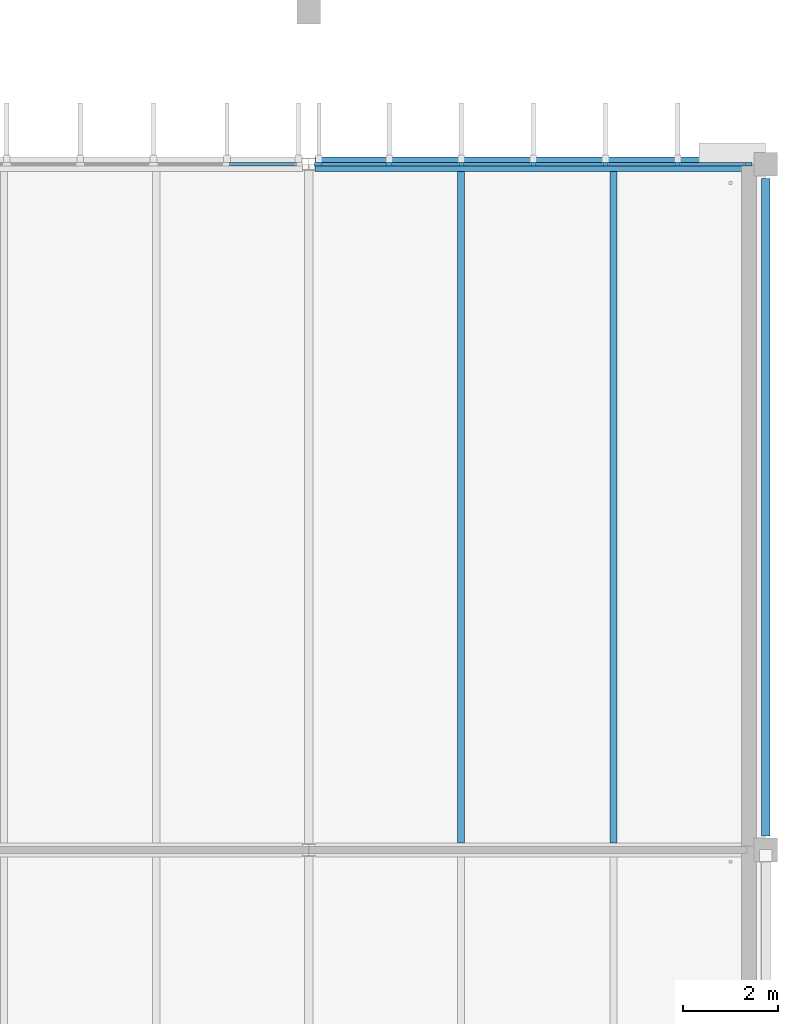
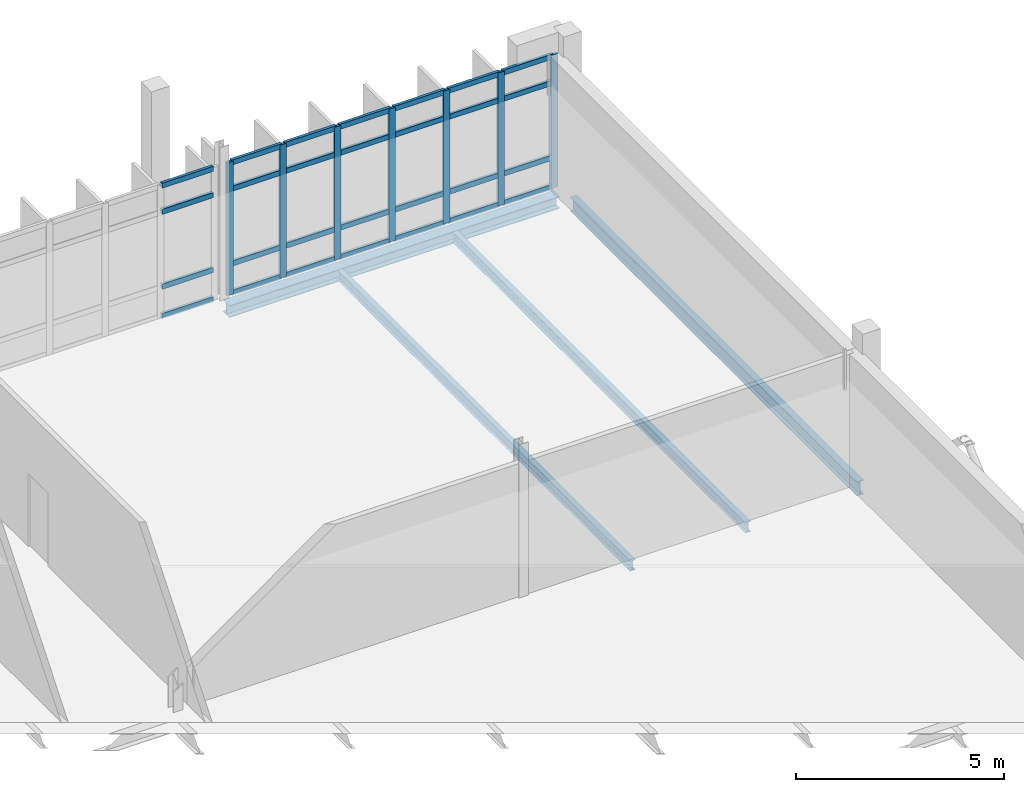
# One storey, part 45 of 107: 35 members, 4 beams, 2 elements without a shape of their own.
"""IFC4 building model written with IfcOpenShell, lengths in metres."""

from ifc_helpers import new_model, si_unit, direction, frame, origin, origin_2d, place, context, subcontext, project, spatial, rectangle, i_section, extrude, material, material_profile, profile_set, type_object, element, aggregate, save


model = new_model("IFC4")

# Units and contexts
model_context = context("Model", 3, precision=1e-05, world=origin(), true_north=direction((0.0, 1.0)))
body_context = subcontext(model_context, "Body", "Model", "MODEL_VIEW")
ifc_project = project(units=[si_unit("LENGTHUNIT", "METRE"), si_unit("AREAUNIT", "SQUARE_METRE"), si_unit("VOLUMEUNIT", "CUBIC_METRE"), si_unit("PLANEANGLEUNIT", "RADIAN"), si_unit("MASSUNIT", "GRAM", prefix="KILO")], contexts=[model_context])

# Site, building, storey
site_placement = place(None, origin())
site = spatial("IfcSite", under=ifc_project, at=site_placement, CompositionType="ELEMENT")
building_placement = place(site_placement, origin())
building = spatial("IfcBuilding", under=site, at=building_placement, Name="Dunescarp Central Library", CompositionType="ELEMENT")
storey_placement = place(building_placement, frame((0.0, 0.0, 5.10009765625)))
storey = spatial("IfcBuildingStorey", under=building, at=storey_placement, Name="L01", CompositionType="ELEMENT", Elevation=5.10009765625)

# Curtain wall, members
ifc_material_1 = material(Name="Marine-grade anodised aluminium 6063-T6", Category="aluminium")
curtain_wall_type = type_object("IfcCurtainWallType", Name="ARC-CW-STICK", PredefinedType="NOTDEFINED", material=ifc_material_1)
curtain_wall_1_placement = place(storey_placement, origin())
curtain_wall_1 = element("IfcCurtainWall", 1, at=curtain_wall_1_placement, inside=storey, type_object=curtain_wall_type, Name="L01 curtain wall CW-V5-160", PredefinedType="NOTDEFINED")
ifc_material_profile_1 = material_profile(ifc_material_1, rectangle(XDim=0.080078125, YDim=0.179931640625, at=origin_2d()), Name="AL 80x180")
ifc_profile_set_1 = profile_set([ifc_material_profile_1], Name="Marine-grade anodised aluminium 6063-T6")
member_type_1 = type_object("IfcMemberType", Name="ARC-CWM-180", PredefinedType="MULLION", material=ifc_profile_set_1)
member_1_placement = place(storey_placement, frame((158.614990234375, 44.800048828125, 0.0), z_axis=(0.0, 0.0, 1.0), x_axis=(0.0, 1.0, 0.0)))
member_1 = element("IfcMember", 2, at=member_1_placement, type_object=member_type_1, Name="CW-V5-160 mullion 1", PredefinedType="MULLION", context=body_context, shape_type="SweptSolid", body=[
    extrude(rectangle(XDim=0.080078125, YDim=0.179931640625, at=origin_2d()), origin(), (0.0, 0.0, 1.0), 3.909912109375),
])
member_2_placement = place(storey_placement, frame((160.090087890625, 44.800048828125, 0.0), z_axis=(0.0, 0.0, 1.0), x_axis=(0.0, 1.0, 0.0)))
member_2 = element("IfcMember", 3, at=member_2_placement, type_object=member_type_1, Name="CW-V5-160 mullion 2", PredefinedType="MULLION", context=body_context, shape_type="SweptSolid", body=[
    extrude(rectangle(XDim=0.080078125, YDim=0.179931640625, at=origin_2d()), origin(), (0.0, 0.0, 1.0), 3.909912109375),
])
member_3_placement = place(storey_placement, frame((161.60498046875, 44.800048828125, 0.0), z_axis=(0.0, 0.0, 1.0), x_axis=(0.0, 1.0, 0.0)))
member_3 = element("IfcMember", 4, at=member_3_placement, type_object=member_type_1, Name="CW-V5-160 mullion 3", PredefinedType="MULLION", context=body_context, shape_type="SweptSolid", body=[
    extrude(rectangle(XDim=0.080078125, YDim=0.179931640625, at=origin_2d()), origin(), (0.0, 0.0, 1.0), 3.909912109375),
])
member_4_placement = place(storey_placement, frame((163.1201171875, 44.800048828125, 0.0), z_axis=(0.0, 0.0, 1.0), x_axis=(0.0, 1.0, 0.0)))
member_4 = element("IfcMember", 5, at=member_4_placement, type_object=member_type_1, Name="CW-V5-160 mullion 4", PredefinedType="MULLION", context=body_context, shape_type="SweptSolid", body=[
    extrude(rectangle(XDim=0.080078125, YDim=0.179931640625, at=origin_2d()), origin(), (0.0, 0.0, 1.0), 3.909912109375),
])
member_5_placement = place(storey_placement, frame((164.635009765625, 44.800048828125, 0.0), z_axis=(0.0, 0.0, 1.0), x_axis=(0.0, 1.0, 0.0)))
member_5 = element("IfcMember", 6, at=member_5_placement, type_object=member_type_1, Name="CW-V5-160 mullion 5", PredefinedType="MULLION", context=body_context, shape_type="SweptSolid", body=[
    extrude(rectangle(XDim=0.080078125, YDim=0.179931640625, at=origin_2d()), origin(), (0.0, 0.0, 1.0), 3.909912109375),
])
member_6_placement = place(storey_placement, frame((166.14990234375, 44.800048828125, 0.0), z_axis=(0.0, 0.0, 1.0), x_axis=(0.0, 1.0, 0.0)))
member_6 = element("IfcMember", 7, at=member_6_placement, type_object=member_type_1, Name="CW-V5-160 mullion 6", PredefinedType="MULLION", context=body_context, shape_type="SweptSolid", body=[
    extrude(rectangle(XDim=0.080078125, YDim=0.179931640625, at=origin_2d()), origin(), (0.0, 0.0, 1.0), 3.909912109375),
])
member_7_placement = place(storey_placement, frame((167.625, 44.800048828125, 0.0), z_axis=(0.0, 0.0, 1.0), x_axis=(0.0, 1.0, 0.0)))
member_7 = element("IfcMember", 8, at=member_7_placement, type_object=member_type_1, Name="CW-V5-160 mullion 7", PredefinedType="MULLION", context=body_context, shape_type="SweptSolid", body=[
    extrude(rectangle(XDim=0.080078125, YDim=0.179931640625, at=origin_2d()), origin(), (0.0, 0.0, 1.0), 3.909912109375),
])

curtain_wall_2_placement = place(storey_placement, origin())
curtain_wall_2 = element("IfcCurtainWall", 9, at=curtain_wall_2_placement, inside=storey, type_object=curtain_wall_type, Name="L01 curtain wall CW-V5-159", PredefinedType="NOTDEFINED")
ifc_material_profile_2 = material_profile(ifc_material_1, rectangle(XDim=0.080078125, YDim=0.14990234375, at=origin_2d()), Name="AL 80x150")
ifc_profile_set_2 = profile_set([ifc_material_profile_2], Name="Marine-grade anodised aluminium 6063-T6")
member_type_2 = type_object("IfcMemberType", Name="ARC-CWT-150", PredefinedType="USERDEFINED", material=ifc_profile_set_2)
member_8_placement = place(storey_placement, frame((156.723388671875, 44.800048828125, 0.039794921875), z_axis=(1.0, 0.0, 0.0), x_axis=(0.0, 1.0, 0.0)))
member_8 = element("IfcMember", 10, at=member_8_placement, type_object=member_type_2, Name="CW-V5-159 transom 6.1", ObjectType="TRANSOM", PredefinedType="USERDEFINED", context=body_context, shape_type="SweptSolid", body=[
    extrude(rectangle(XDim=0.080078125, YDim=0.14990234375, at=origin_2d()), origin(), (0.0, 0.0, 1.0), 1.421630859375),
])
member_9_placement = place(storey_placement, frame((156.723388671875, 44.800048828125, 0.89990234375), z_axis=(1.0, 0.0, 0.0), x_axis=(0.0, 1.0, 0.0)))
member_9 = element("IfcMember", 11, at=member_9_placement, type_object=member_type_2, Name="CW-V5-159 transom 6.2", ObjectType="TRANSOM", PredefinedType="USERDEFINED", context=body_context, shape_type="SweptSolid", body=[
    extrude(rectangle(XDim=0.080078125, YDim=0.14990234375, at=origin_2d()), origin(), (0.0, 0.0, 1.0), 1.421630859375),
])
member_10_placement = place(storey_placement, frame((156.723388671875, 44.800048828125, 3.099853515625), z_axis=(1.0, 0.0, 0.0), x_axis=(0.0, 1.0, 0.0)))
member_10 = element("IfcMember", 12, at=member_10_placement, type_object=member_type_2, Name="CW-V5-159 transom 6.3", ObjectType="TRANSOM", PredefinedType="USERDEFINED", context=body_context, shape_type="SweptSolid", body=[
    extrude(rectangle(XDim=0.080078125, YDim=0.14990234375, at=origin_2d()), origin(), (0.0, 0.0, 1.0), 1.421630859375),
])
member_11_placement = place(storey_placement, frame((156.723388671875, 44.800048828125, 3.869873046875), z_axis=(1.0, 0.0, 0.0), x_axis=(0.0, 1.0, 0.0)))
member_11 = element("IfcMember", 13, at=member_11_placement, type_object=member_type_2, Name="CW-V5-159 transom 6.4", ObjectType="TRANSOM", PredefinedType="USERDEFINED", context=body_context, shape_type="SweptSolid", body=[
    extrude(rectangle(XDim=0.080078125, YDim=0.14990234375, at=origin_2d()), origin(), (0.0, 0.0, 1.0), 1.421630859375),
])
aggregate(curtain_wall_2, [member_8, member_9, member_10, member_11])

# Member
member_12_placement = place(storey_placement, frame((158.655029296875, 44.800048828125, 0.039794921875), z_axis=(1.0, 0.0, 0.0), x_axis=(0.0, 1.0, 0.0)))
member_12 = element("IfcMember", 14, at=member_12_placement, type_object=member_type_2, Name="CW-V5-160 transom 1.1", ObjectType="TRANSOM", PredefinedType="USERDEFINED", context=body_context, shape_type="SweptSolid", body=[
    extrude(rectangle(XDim=0.080078125, YDim=0.14990234375, at=origin_2d()), origin(), (0.0, 0.0, 1.0), 1.39501953125),
])

member_13_placement = place(storey_placement, frame((158.655029296875, 44.800048828125, 0.89990234375), z_axis=(1.0, 0.0, 0.0), x_axis=(0.0, 1.0, 0.0)))
member_13 = element("IfcMember", 15, at=member_13_placement, type_object=member_type_2, Name="CW-V5-160 transom 1.2", ObjectType="TRANSOM", PredefinedType="USERDEFINED", context=body_context, shape_type="SweptSolid", body=[
    extrude(rectangle(XDim=0.080078125, YDim=0.14990234375, at=origin_2d()), origin(), (0.0, 0.0, 1.0), 1.39501953125),
])

member_14_placement = place(storey_placement, frame((158.655029296875, 44.800048828125, 3.099853515625), z_axis=(1.0, 0.0, 0.0), x_axis=(0.0, 1.0, 0.0)))
member_14 = element("IfcMember", 16, at=member_14_placement, type_object=member_type_2, Name="CW-V5-160 transom 1.3", ObjectType="TRANSOM", PredefinedType="USERDEFINED", context=body_context, shape_type="SweptSolid", body=[
    extrude(rectangle(XDim=0.080078125, YDim=0.14990234375, at=origin_2d()), origin(), (0.0, 0.0, 1.0), 1.39501953125),
])

member_15_placement = place(storey_placement, frame((158.655029296875, 44.800048828125, 3.869873046875), z_axis=(1.0, 0.0, 0.0), x_axis=(0.0, 1.0, 0.0)))
member_15 = element("IfcMember", 17, at=member_15_placement, type_object=member_type_2, Name="CW-V5-160 transom 1.4", ObjectType="TRANSOM", PredefinedType="USERDEFINED", context=body_context, shape_type="SweptSolid", body=[
    extrude(rectangle(XDim=0.080078125, YDim=0.14990234375, at=origin_2d()), origin(), (0.0, 0.0, 1.0), 1.39501953125),
])

member_16_placement = place(storey_placement, frame((160.1298828125, 44.800048828125, 0.039794921875), z_axis=(1.0, 0.0, 0.0), x_axis=(0.0, 1.0, 0.0)))
member_16 = element("IfcMember", 18, at=member_16_placement, type_object=member_type_2, Name="CW-V5-160 transom 2.1", ObjectType="TRANSOM", PredefinedType="USERDEFINED", context=body_context, shape_type="SweptSolid", body=[
    extrude(rectangle(XDim=0.080078125, YDim=0.14990234375, at=origin_2d()), origin(), (0.0, 0.0, 1.0), 1.43505859375),
])

member_17_placement = place(storey_placement, frame((160.1298828125, 44.800048828125, 0.89990234375), z_axis=(1.0, 0.0, 0.0), x_axis=(0.0, 1.0, 0.0)))
member_17 = element("IfcMember", 19, at=member_17_placement, type_object=member_type_2, Name="CW-V5-160 transom 2.2", ObjectType="TRANSOM", PredefinedType="USERDEFINED", context=body_context, shape_type="SweptSolid", body=[
    extrude(rectangle(XDim=0.080078125, YDim=0.14990234375, at=origin_2d()), origin(), (0.0, 0.0, 1.0), 1.43505859375),
])

member_18_placement = place(storey_placement, frame((160.1298828125, 44.800048828125, 3.099853515625), z_axis=(1.0, 0.0, 0.0), x_axis=(0.0, 1.0, 0.0)))
member_18 = element("IfcMember", 20, at=member_18_placement, type_object=member_type_2, Name="CW-V5-160 transom 2.3", ObjectType="TRANSOM", PredefinedType="USERDEFINED", context=body_context, shape_type="SweptSolid", body=[
    extrude(rectangle(XDim=0.080078125, YDim=0.14990234375, at=origin_2d()), origin(), (0.0, 0.0, 1.0), 1.43505859375),
])

member_19_placement = place(storey_placement, frame((160.1298828125, 44.800048828125, 3.869873046875), z_axis=(1.0, 0.0, 0.0), x_axis=(0.0, 1.0, 0.0)))
member_19 = element("IfcMember", 21, at=member_19_placement, type_object=member_type_2, Name="CW-V5-160 transom 2.4", ObjectType="TRANSOM", PredefinedType="USERDEFINED", context=body_context, shape_type="SweptSolid", body=[
    extrude(rectangle(XDim=0.080078125, YDim=0.14990234375, at=origin_2d()), origin(), (0.0, 0.0, 1.0), 1.43505859375),
])

member_20_placement = place(storey_placement, frame((161.64501953125, 44.800048828125, 0.039794921875), z_axis=(1.0, 0.0, 0.0), x_axis=(0.0, 1.0, 0.0)))
member_20 = element("IfcMember", 22, at=member_20_placement, type_object=member_type_2, Name="CW-V5-160 transom 3.1", ObjectType="TRANSOM", PredefinedType="USERDEFINED", context=body_context, shape_type="SweptSolid", body=[
    extrude(rectangle(XDim=0.080078125, YDim=0.14990234375, at=origin_2d()), origin(), (0.0, 0.0, 1.0), 1.43505859375),
])

member_21_placement = place(storey_placement, frame((161.64501953125, 44.800048828125, 0.89990234375), z_axis=(1.0, 0.0, 0.0), x_axis=(0.0, 1.0, 0.0)))
member_21 = element("IfcMember", 23, at=member_21_placement, type_object=member_type_2, Name="CW-V5-160 transom 3.2", ObjectType="TRANSOM", PredefinedType="USERDEFINED", context=body_context, shape_type="SweptSolid", body=[
    extrude(rectangle(XDim=0.080078125, YDim=0.14990234375, at=origin_2d()), origin(), (0.0, 0.0, 1.0), 1.43505859375),
])

member_22_placement = place(storey_placement, frame((161.64501953125, 44.800048828125, 3.099853515625), z_axis=(1.0, 0.0, 0.0), x_axis=(0.0, 1.0, 0.0)))
member_22 = element("IfcMember", 24, at=member_22_placement, type_object=member_type_2, Name="CW-V5-160 transom 3.3", ObjectType="TRANSOM", PredefinedType="USERDEFINED", context=body_context, shape_type="SweptSolid", body=[
    extrude(rectangle(XDim=0.080078125, YDim=0.14990234375, at=origin_2d()), origin(), (0.0, 0.0, 1.0), 1.43505859375),
])

member_23_placement = place(storey_placement, frame((161.64501953125, 44.800048828125, 3.869873046875), z_axis=(1.0, 0.0, 0.0), x_axis=(0.0, 1.0, 0.0)))
member_23 = element("IfcMember", 25, at=member_23_placement, type_object=member_type_2, Name="CW-V5-160 transom 3.4", ObjectType="TRANSOM", PredefinedType="USERDEFINED", context=body_context, shape_type="SweptSolid", body=[
    extrude(rectangle(XDim=0.080078125, YDim=0.14990234375, at=origin_2d()), origin(), (0.0, 0.0, 1.0), 1.43505859375),
])

member_24_placement = place(storey_placement, frame((163.159912109375, 44.800048828125, 0.039794921875), z_axis=(1.0, 0.0, 0.0), x_axis=(0.0, 1.0, 0.0)))
member_24 = element("IfcMember", 26, at=member_24_placement, type_object=member_type_2, Name="CW-V5-160 transom 4.1", ObjectType="TRANSOM", PredefinedType="USERDEFINED", context=body_context, shape_type="SweptSolid", body=[
    extrude(rectangle(XDim=0.080078125, YDim=0.14990234375, at=origin_2d()), origin(), (0.0, 0.0, 1.0), 1.43505859375),
])

member_25_placement = place(storey_placement, frame((163.159912109375, 44.800048828125, 0.89990234375), z_axis=(1.0, 0.0, 0.0), x_axis=(0.0, 1.0, 0.0)))
member_25 = element("IfcMember", 27, at=member_25_placement, type_object=member_type_2, Name="CW-V5-160 transom 4.2", ObjectType="TRANSOM", PredefinedType="USERDEFINED", context=body_context, shape_type="SweptSolid", body=[
    extrude(rectangle(XDim=0.080078125, YDim=0.14990234375, at=origin_2d()), origin(), (0.0, 0.0, 1.0), 1.43505859375),
])

member_26_placement = place(storey_placement, frame((163.159912109375, 44.800048828125, 3.099853515625), z_axis=(1.0, 0.0, 0.0), x_axis=(0.0, 1.0, 0.0)))
member_26 = element("IfcMember", 28, at=member_26_placement, type_object=member_type_2, Name="CW-V5-160 transom 4.3", ObjectType="TRANSOM", PredefinedType="USERDEFINED", context=body_context, shape_type="SweptSolid", body=[
    extrude(rectangle(XDim=0.080078125, YDim=0.14990234375, at=origin_2d()), origin(), (0.0, 0.0, 1.0), 1.43505859375),
])

member_27_placement = place(storey_placement, frame((163.159912109375, 44.800048828125, 3.869873046875), z_axis=(1.0, 0.0, 0.0), x_axis=(0.0, 1.0, 0.0)))
member_27 = element("IfcMember", 29, at=member_27_placement, type_object=member_type_2, Name="CW-V5-160 transom 4.4", ObjectType="TRANSOM", PredefinedType="USERDEFINED", context=body_context, shape_type="SweptSolid", body=[
    extrude(rectangle(XDim=0.080078125, YDim=0.14990234375, at=origin_2d()), origin(), (0.0, 0.0, 1.0), 1.43505859375),
])

member_28_placement = place(storey_placement, frame((164.675048828125, 44.800048828125, 0.039794921875), z_axis=(1.0, 0.0, 0.0), x_axis=(0.0, 1.0, 0.0)))
member_28 = element("IfcMember", 30, at=member_28_placement, type_object=member_type_2, Name="CW-V5-160 transom 5.1", ObjectType="TRANSOM", PredefinedType="USERDEFINED", context=body_context, shape_type="SweptSolid", body=[
    extrude(rectangle(XDim=0.080078125, YDim=0.14990234375, at=origin_2d()), origin(), (0.0, 0.0, 1.0), 1.43505859375),
])

member_29_placement = place(storey_placement, frame((164.675048828125, 44.800048828125, 0.89990234375), z_axis=(1.0, 0.0, 0.0), x_axis=(0.0, 1.0, 0.0)))
member_29 = element("IfcMember", 31, at=member_29_placement, type_object=member_type_2, Name="CW-V5-160 transom 5.2", ObjectType="TRANSOM", PredefinedType="USERDEFINED", context=body_context, shape_type="SweptSolid", body=[
    extrude(rectangle(XDim=0.080078125, YDim=0.14990234375, at=origin_2d()), origin(), (0.0, 0.0, 1.0), 1.43505859375),
])

member_30_placement = place(storey_placement, frame((164.675048828125, 44.800048828125, 3.099853515625), z_axis=(1.0, 0.0, 0.0), x_axis=(0.0, 1.0, 0.0)))
member_30 = element("IfcMember", 32, at=member_30_placement, type_object=member_type_2, Name="CW-V5-160 transom 5.3", ObjectType="TRANSOM", PredefinedType="USERDEFINED", context=body_context, shape_type="SweptSolid", body=[
    extrude(rectangle(XDim=0.080078125, YDim=0.14990234375, at=origin_2d()), origin(), (0.0, 0.0, 1.0), 1.43505859375),
])

member_31_placement = place(storey_placement, frame((164.675048828125, 44.800048828125, 3.869873046875), z_axis=(1.0, 0.0, 0.0), x_axis=(0.0, 1.0, 0.0)))
member_31 = element("IfcMember", 33, at=member_31_placement, type_object=member_type_2, Name="CW-V5-160 transom 5.4", ObjectType="TRANSOM", PredefinedType="USERDEFINED", context=body_context, shape_type="SweptSolid", body=[
    extrude(rectangle(XDim=0.080078125, YDim=0.14990234375, at=origin_2d()), origin(), (0.0, 0.0, 1.0), 1.43505859375),
])

member_32_placement = place(storey_placement, frame((166.18994140625, 44.800048828125, 0.039794921875), z_axis=(1.0, 0.0, 0.0), x_axis=(0.0, 1.0, 0.0)))
member_32 = element("IfcMember", 34, at=member_32_placement, type_object=member_type_2, Name="CW-V5-160 transom 6.1", ObjectType="TRANSOM", PredefinedType="USERDEFINED", context=body_context, shape_type="SweptSolid", body=[
    extrude(rectangle(XDim=0.080078125, YDim=0.14990234375, at=origin_2d()), origin(), (0.0, 0.0, 1.0), 1.39501953125),
])

member_33_placement = place(storey_placement, frame((166.18994140625, 44.800048828125, 0.89990234375), z_axis=(1.0, 0.0, 0.0), x_axis=(0.0, 1.0, 0.0)))
member_33 = element("IfcMember", 35, at=member_33_placement, type_object=member_type_2, Name="CW-V5-160 transom 6.2", ObjectType="TRANSOM", PredefinedType="USERDEFINED", context=body_context, shape_type="SweptSolid", body=[
    extrude(rectangle(XDim=0.080078125, YDim=0.14990234375, at=origin_2d()), origin(), (0.0, 0.0, 1.0), 1.39501953125),
])

member_34_placement = place(storey_placement, frame((166.18994140625, 44.800048828125, 3.099853515625), z_axis=(1.0, 0.0, 0.0), x_axis=(0.0, 1.0, 0.0)))
member_34 = element("IfcMember", 36, at=member_34_placement, type_object=member_type_2, Name="CW-V5-160 transom 6.3", ObjectType="TRANSOM", PredefinedType="USERDEFINED", context=body_context, shape_type="SweptSolid", body=[
    extrude(rectangle(XDim=0.080078125, YDim=0.14990234375, at=origin_2d()), origin(), (0.0, 0.0, 1.0), 1.39501953125),
])

member_35_placement = place(storey_placement, frame((166.18994140625, 44.800048828125, 3.869873046875), z_axis=(1.0, 0.0, 0.0), x_axis=(0.0, 1.0, 0.0)))
member_35 = element("IfcMember", 37, at=member_35_placement, type_object=member_type_2, Name="CW-V5-160 transom 6.4", ObjectType="TRANSOM", PredefinedType="USERDEFINED", context=body_context, shape_type="SweptSolid", body=[
    extrude(rectangle(XDim=0.080078125, YDim=0.14990234375, at=origin_2d()), origin(), (0.0, 0.0, 1.0), 1.39501953125),
])

aggregate(curtain_wall_1, [member_1, member_2, member_3, member_4, member_5, member_6, member_7, member_12, member_13, member_14, member_15, member_16, member_17, member_18, member_19, member_20, member_21, member_22, member_23, member_24, member_25, member_26, member_27, member_28, member_29, member_30, member_31, member_32, member_33, member_34, member_35])

# Beams
ifc_material_2 = material(Name="Steel S355JR", Category="steel")
ifc_material_profile_3 = material_profile(ifc_material_2, i_section(OverallWidth=0.300048828125, OverallDepth=0.35009765625, WebThickness=0.010009765625, FlangeThickness=0.017578125, at=origin_2d()), Name="HEA 360")
ifc_profile_set_3 = profile_set([ifc_material_profile_3], Name="Steel S355JR")
beam_type_1 = type_object("IfcBeamType", Name="STR-BM-IPE400", PredefinedType="BEAM", material=ifc_profile_set_3)
beam_1_placement = place(storey_placement, frame((158.528076171875, 44.800048828125, -0.39501953125), z_axis=(1.0, 0.0, 0.0), x_axis=(0.0, 1.0, 0.0)))
element("IfcBeam", 38, at=beam_1_placement, inside=storey, type_object=beam_type_1, Name="L01 girder BM-L01-1139", PredefinedType="BEAM", context=body_context, shape_type="SweptSolid", body=[
    extrude(i_section(OverallWidth=0.300048828125, OverallDepth=0.35009765625, WebThickness=0.010009765625, FlangeThickness=0.017578125, at=origin_2d()), origin(), (0.0, 0.0, 1.0), 9.1748046875),
])
ifc_material_profile_4 = material_profile(ifc_material_2, i_section(OverallWidth=0.179443359375, OverallDepth=0.412841796875, WebThickness=0.009521484375, FlangeThickness=0.01611328125, at=origin_2d()), Name="UB 406x178x74")
ifc_profile_set_4 = profile_set([ifc_material_profile_4], Name="Steel S355JR")
beam_type_2 = type_object("IfcBeamType", Name="STR-BM-UB406", PredefinedType="BEAM", material=ifc_profile_set_4)
beam_2_placement = place(storey_placement, frame((168.0, 30.697021484375, -0.426025390625), z_axis=(0.0, 1.0, 0.0), x_axis=(-1.0, 0.0, 0.0)))
element("IfcBeam", 39, at=beam_2_placement, inside=storey, type_object=beam_type_2, Name="L01 girder BM-L01-1140", PredefinedType="BEAM", context=body_context, shape_type="SweptSolid", body=[
    extrude(i_section(OverallWidth=0.179443359375, OverallDepth=0.412841796875, WebThickness=0.009521484375, FlangeThickness=0.01611328125, at=origin_2d()), origin(), (0.0, 0.0, 1.0), 13.805908203125),
])
ifc_material_profile_5 = material_profile(ifc_material_2, i_section(OverallWidth=0.14990234375, OverallDepth=0.300048828125, WebThickness=0.007080078125, FlangeThickness=0.0107421875, at=origin_2d()), Name="IPE 300")
ifc_profile_set_5 = profile_set([ifc_material_profile_5], Name="Steel S355JR")
beam_type_3 = type_object("IfcBeamType", Name="STR-JS-IPE300", PredefinedType="JOIST", material=ifc_profile_set_5)
for number, where, z_axis, x_axis, name in (
    (40, (161.60009765625, 30.548095703125, -0.3701171875), (0.0, 1.0, 0.0), (-1.0, 0.0, 0.0), "L01 joist JS-L01-1141"),
    (41, (164.800048828125, 30.548095703125, -0.3701171875), (0.0, 1.0, 0.0), (-1.0, 0.0, 0.0), "L01 joist JS-L01-1142"),
):
    element("IfcBeam", number, at=place(storey_placement, frame(where, z_axis=z_axis, x_axis=x_axis)), inside=storey, type_object=beam_type_3, Name=name, PredefinedType="JOIST", context=body_context, shape_type="SweptSolid", body=[
        extrude(i_section(OverallWidth=0.14990234375, OverallDepth=0.300048828125, WebThickness=0.007080078125, FlangeThickness=0.0107421875, at=origin_2d()), origin(), (0.0, 0.0, 1.0), 14.10400390625),
    ])

save(model, "model.ifc")
